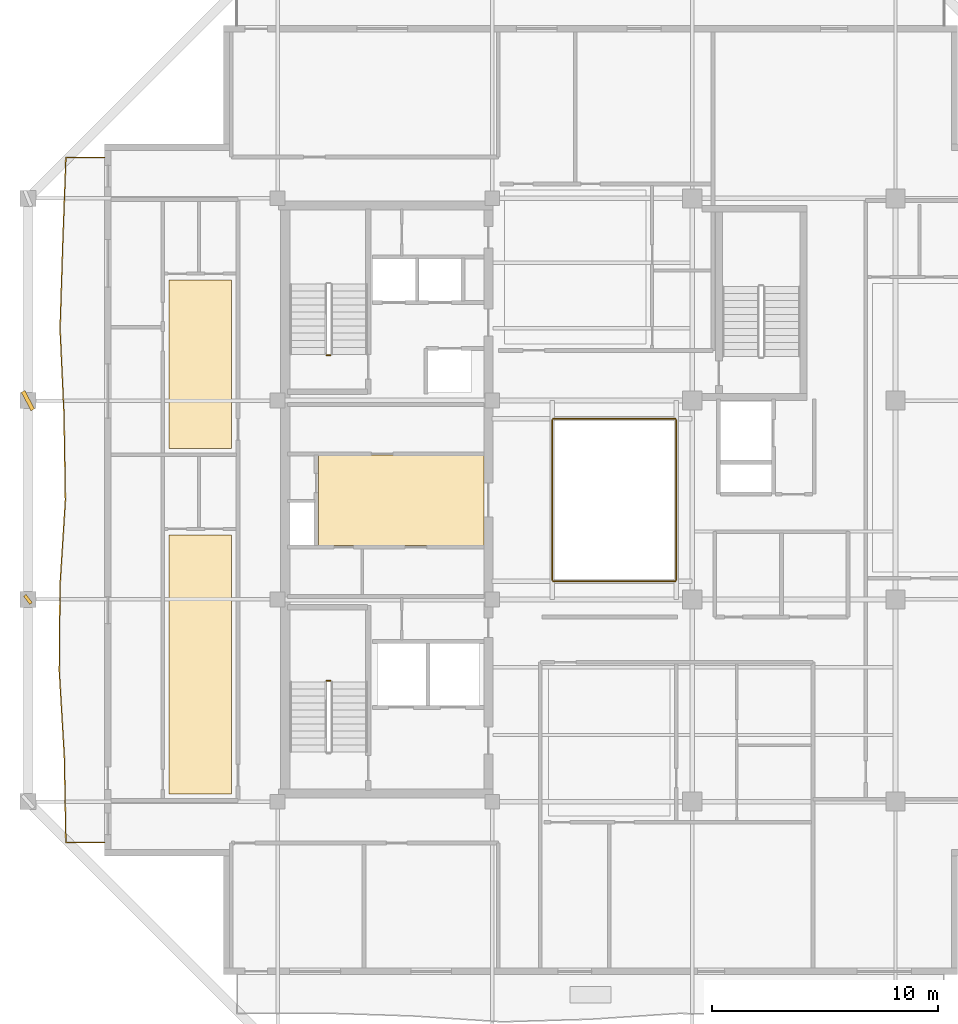
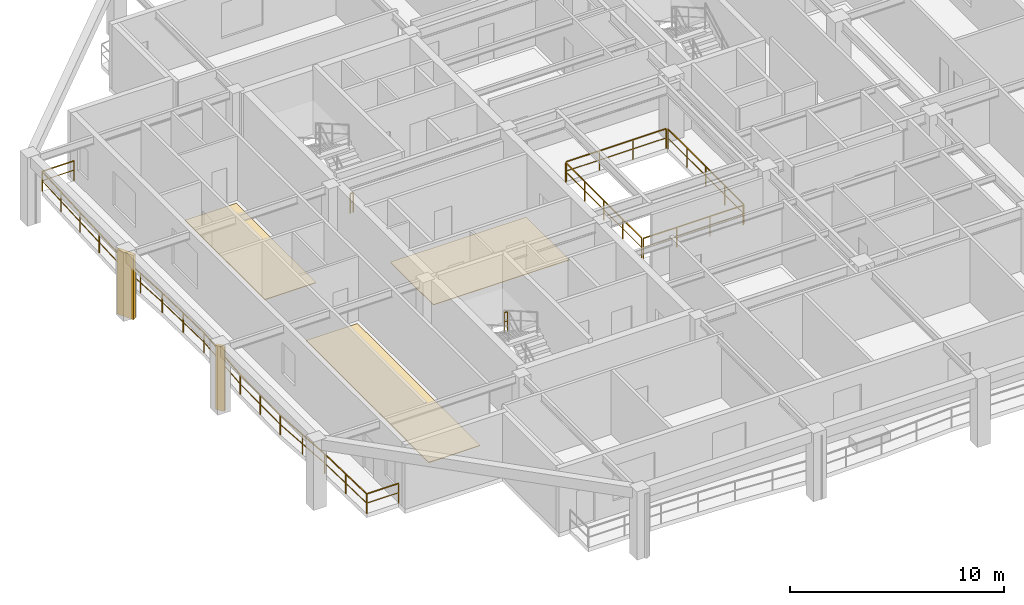
# One storey, part 8 of 11: 7 railings, 3 coverings, 2 shading devices.
"""IFC4 building model written with IfcOpenShell, lengths in metres."""

from ifc_helpers import new_model, si_unit, direction, frame, origin, origin_2d, place, context, subcontext, project, spatial, polyline, rectangle, outline, extrude, material, layer, layer_set, type_object, element, save


model = new_model("IFC4")

# Units and contexts
model_context = context("Model", 3, precision=1e-05, world=origin(), true_north=direction((0.0, 1.0)))
body_context = subcontext(model_context, "Body", "Model", "MODEL_VIEW")
ifc_project = project(units=[si_unit("LENGTHUNIT", "METRE"), si_unit("AREAUNIT", "SQUARE_METRE"), si_unit("VOLUMEUNIT", "CUBIC_METRE"), si_unit("PLANEANGLEUNIT", "RADIAN"), si_unit("MASSUNIT", "GRAM", prefix="KILO")], contexts=[model_context])

# Site, building, storey
site_placement = place(None, origin())
site = spatial("IfcSite", under=ifc_project, at=site_placement, CompositionType="ELEMENT")
building_placement = place(site_placement, origin())
building = spatial("IfcBuilding", under=site, at=building_placement, Name="Kundavana Baori Tower", CompositionType="ELEMENT")
storey_placement = place(building_placement, frame((0.0, 0.0, 253.10009765625)))
storey = spatial("IfcBuildingStorey", under=building, at=storey_placement, Name="L62", CompositionType="ELEMENT", Elevation=253.10009765625)

# Coverings
ifc_material_1 = material(Name="Honed Kota Stone and Terrazzo Flooring", Category="masonry")
ifc_layer = layer(ifc_material_1, 0.030029296875, Name="COV-INT-FLR")
ifc_layer_set = layer_set([ifc_layer], Name="Honed Kota Stone and Terrazzo Flooring")
covering_type = type_object("IfcCoveringType", Name="COV-INT-FLR", PredefinedType="FLOORING", material=ifc_layer_set)
covering_1_placement = place(storey_placement, origin())
element("IfcCovering", 1, at=covering_1_placement, inside=storey, type_object=covering_type, Name="L62 Room Finished Stone Flooring 1", PredefinedType="FLOORING", context=body_context, shape_type="SweptSolid", body=[
    extrude(outline(polyline([(10.64990234375, 15.580078125), (13.419921875, 15.580078125), (13.419921875, 27.0400390625), (10.64990234375, 27.0400390625), (10.64990234375, 15.580078125)])), origin(), (0.0, 0.0, 1.0), 0.02978515625),
])
covering_2_placement = place(storey_placement, origin())
element("IfcCovering", 2, at=covering_2_placement, inside=storey, type_object=covering_type, Name="L62 Room Finished Stone Flooring 2", PredefinedType="FLOORING", context=body_context, shape_type="SweptSolid", body=[
    extrude(outline(polyline([(10.64990234375, 30.8798828125), (13.419921875, 30.8798828125), (13.419921875, 38.340087890625), (10.64990234375, 38.340087890625), (10.64990234375, 30.8798828125)])), origin(), (0.0, 0.0, 1.0), 0.02978515625),
])
covering_3_placement = place(storey_placement, origin())
element("IfcCovering", 3, at=covering_3_placement, inside=storey, type_object=covering_type, Name="L62 Core Lift Lobby Kota Stone Flooring", PredefinedType="FLOORING", context=body_context, shape_type="SweptSolid", body=[
    extrude(outline(polyline([(17.25, 26.580078125), (24.580078125, 26.580078125), (24.580078125, 30.60009765625), (17.25, 30.60009765625), (17.25, 26.580078125)])), origin(), (0.0, 0.0, 1.0), 0.02978515625),
])

# Railings
ifc_material_2 = material(Name="Architectural Patinated Bronze Metalwork")
railing_type_1 = type_object("IfcRailingType", Name="RL-BAL-1150", PredefinedType="BALUSTRADE", material=ifc_material_2)
railing_1_placement = place(storey_placement, frame((7.800048828125, 13.449951171875, 0.0)))
element("IfcRailing", 4, at=railing_1_placement, inside=storey, type_object=railing_type_1, Name="L62 Loggia Balcony Balustrade W", PredefinedType="BALUSTRADE", context=body_context, shape_type="SweptSolid", body=[
    extrude(rectangle(XDim=0.048095703125, YDim=0.048095703125, at=origin_2d()), frame((0.0, 0.0, 1.1259765625), z_axis=(-1.0, 0.0, 0.0), x_axis=(0.0, -1.0, 0.0)), (0.0, 0.0, 1.0), 1.719970703125),
    extrude(rectangle(XDim=0.03125, YDim=0.03125, at=origin_2d()), frame((0.0, 0.0, 0.597900390625), z_axis=(-1.0, 0.0, 0.0), x_axis=(0.0, -1.0, 0.0)), (0.0, 0.0, 1.0), 1.719970703125),
    extrude(rectangle(XDim=0.048095703125, YDim=0.048095703125, at=origin_2d()), frame((-1.719970703125, 0.0, 1.1259765625), z_axis=(-0.018751536142, 0.999824174489, 0.0), x_axis=(-0.999824174489, -0.018751536142, 0.0)), (0.0, 0.0, 1.0), 3.788818359375),
    extrude(rectangle(XDim=0.03125, YDim=0.03125, at=origin_2d()), frame((-1.719970703125, 0.0, 0.597900390625), z_axis=(-0.018751536142, 0.999824174489, 0.0), x_axis=(-0.999824174489, -0.018751536142, 0.0)), (0.0, 0.0, 1.0), 3.788818359375),
    extrude(rectangle(XDim=0.048095703125, YDim=0.048095703125, at=origin_2d()), frame((-1.791015625, 3.7880859375, 1.1259765625), z_axis=(-0.058503196703, 0.998287221182, 0.0), x_axis=(-0.998287221182, -0.058503196703, 0.0)), (0.0, 0.0, 1.0), 3.79345703125),
    extrude(rectangle(XDim=0.03125, YDim=0.03125, at=origin_2d()), frame((-1.791015625, 3.7880859375, 0.597900390625), z_axis=(-0.058503196703, 0.998287221182, 0.0), x_axis=(-0.998287221182, -0.058503196703, 0.0)), (0.0, 0.0, 1.0), 3.79345703125),
    extrude(rectangle(XDim=0.048095703125, YDim=0.048095703125, at=origin_2d()), frame((-2.012939453125, 7.574951171875, 1.1259765625), z_axis=(0.00818693552, 0.999966486482, 0.0), x_axis=(-0.999966486482, 0.00818693552, 0.0)), (0.0, 0.0, 1.0), 3.787353515625),
    extrude(rectangle(XDim=0.03125, YDim=0.03125, at=origin_2d()), frame((-2.012939453125, 7.574951171875, 0.597900390625), z_axis=(0.00818693552, 0.999966486482, 0.0), x_axis=(-0.999966486482, 0.00818693552, 0.0)), (0.0, 0.0, 1.0), 3.787353515625),
    extrude(rectangle(XDim=0.048095703125, YDim=0.048095703125, at=origin_2d()), frame((-1.98193359375, 11.362060546875, 1.1259765625), z_axis=(0.062650592836, 0.998035522022, 0.0), x_axis=(-0.998035522022, 0.062650592836, 0.0)), (0.0, 0.0, 1.0), 3.795654296875),
    extrude(rectangle(XDim=0.03125, YDim=0.03125, at=origin_2d()), frame((-1.98193359375, 11.362060546875, 0.597900390625), z_axis=(0.062650592836, 0.998035522022, 0.0), x_axis=(-0.998035522022, 0.062650592836, 0.0)), (0.0, 0.0, 1.0), 3.795654296875),
    extrude(rectangle(XDim=0.048095703125, YDim=0.048095703125, at=origin_2d()), frame((-1.744140625, 15.150146484375, 1.1259765625), z_axis=(-0.016046918385, 0.999871239916, 0.0), x_axis=(-0.999871239916, -0.016046918385, 0.0)), (0.0, 0.0, 1.0), 3.788330078125),
    extrude(rectangle(XDim=0.03125, YDim=0.03125, at=origin_2d()), frame((-1.744140625, 15.150146484375, 0.597900390625), z_axis=(-0.016046918385, 0.999871239916, 0.0), x_axis=(-0.999871239916, -0.016046918385, 0.0)), (0.0, 0.0, 1.0), 3.788330078125),
    extrude(rectangle(XDim=0.048095703125, YDim=0.048095703125, at=origin_2d()), frame((-1.804931640625, 18.93798828125, 1.1259765625), z_axis=(-0.046172981575, 0.998933459132, 0.0), x_axis=(-0.998933459132, -0.046172981575, 0.0)), (0.0, 0.0, 1.0), 3.791259765625),
    extrude(rectangle(XDim=0.03125, YDim=0.03125, at=origin_2d()), frame((-1.804931640625, 18.93798828125, 0.597900390625), z_axis=(-0.046172981575, 0.998933459132, 0.0), x_axis=(-0.998933459132, -0.046172981575, 0.0)), (0.0, 0.0, 1.0), 3.791259765625),
    extrude(rectangle(XDim=0.048095703125, YDim=0.048095703125, at=origin_2d()), frame((-1.97998046875, 22.72509765625, 1.1259765625), z_axis=(0.031639106753, 0.999499358141, 0.0), x_axis=(-0.999499358141, 0.031639106753, 0.0)), (0.0, 0.0, 1.0), 3.788818359375),
    extrude(rectangle(XDim=0.03125, YDim=0.03125, at=origin_2d()), frame((-1.97998046875, 22.72509765625, 0.597900390625), z_axis=(0.031639106753, 0.999499358141, 0.0), x_axis=(-0.999499358141, 0.031639106753, 0.0)), (0.0, 0.0, 1.0), 3.788818359375),
    extrude(rectangle(XDim=0.048095703125, YDim=0.048095703125, at=origin_2d()), frame((-1.860107421875, 26.511962890625, 1.1259765625), z_axis=(0.036968782264, 0.999316420929, 0.0), x_axis=(-0.999316420929, 0.036968782264, 0.0)), (0.0, 0.0, 1.0), 3.790771484375),
    extrude(rectangle(XDim=0.03125, YDim=0.03125, at=origin_2d()), frame((-1.860107421875, 26.511962890625, 0.597900390625), z_axis=(0.036968782264, 0.999316420929, 0.0), x_axis=(-0.999316420929, 0.036968782264, 0.0)), (0.0, 0.0, 1.0), 3.790771484375),
    extrude(rectangle(XDim=0.048095703125, YDim=0.048095703125, at=origin_2d()), frame((-1.719970703125, 30.300048828125, 1.1259765625), z_axis=(1.0, 0.0, 0.0), x_axis=(0.0, 1.0, 0.0)), (0.0, 0.0, 1.0), 1.719970703125),
    extrude(rectangle(XDim=0.03125, YDim=0.03125, at=origin_2d()), frame((-1.719970703125, 30.300048828125, 0.597900390625), z_axis=(1.0, 0.0, 0.0), x_axis=(0.0, 1.0, 0.0)), (0.0, 0.0, 1.0), 1.719970703125),
    extrude(rectangle(XDim=0.0419921875, YDim=0.0419921875, at=origin_2d()), origin(), (0.0, 0.0, 1.0), 1.101806640625),
    extrude(rectangle(XDim=0.0419921875, YDim=0.0419921875, at=origin_2d()), frame((-1.719970703125, 0.0, 0.0)), (0.0, 0.0, 1.0), 1.101806640625),
    extrude(rectangle(XDim=0.0419921875, YDim=0.0419921875, at=origin_2d()), frame((-1.75537109375, 1.89404296875, 0.0)), (0.0, 0.0, 1.0), 1.101806640625),
    extrude(rectangle(XDim=0.0419921875, YDim=0.0419921875, at=origin_2d()), frame((-1.791015625, 3.7880859375, 0.0)), (0.0, 0.0, 1.0), 1.101806640625),
    extrude(rectangle(XDim=0.0419921875, YDim=0.0419921875, at=origin_2d()), frame((-1.90185546875, 5.681640625, 0.0)), (0.0, 0.0, 1.0), 1.101806640625),
    extrude(rectangle(XDim=0.0419921875, YDim=0.0419921875, at=origin_2d()), frame((-2.012939453125, 7.574951171875, 0.0)), (0.0, 0.0, 1.0), 1.101806640625),
    extrude(rectangle(XDim=0.0419921875, YDim=0.0419921875, at=origin_2d()), frame((-1.99755859375, 9.468505859375, 0.0)), (0.0, 0.0, 1.0), 1.101806640625),
    extrude(rectangle(XDim=0.0419921875, YDim=0.0419921875, at=origin_2d()), frame((-1.98193359375, 11.362060546875, 0.0)), (0.0, 0.0, 1.0), 1.101806640625),
    extrude(rectangle(XDim=0.0419921875, YDim=0.0419921875, at=origin_2d()), frame((-1.863037109375, 13.256103515625, 0.0)), (0.0, 0.0, 1.0), 1.101806640625),
    extrude(rectangle(XDim=0.0419921875, YDim=0.0419921875, at=origin_2d()), frame((-1.744140625, 15.150146484375, 0.0)), (0.0, 0.0, 1.0), 1.101806640625),
    extrude(rectangle(XDim=0.0419921875, YDim=0.0419921875, at=origin_2d()), frame((-1.7744140625, 17.0439453125, 0.0)), (0.0, 0.0, 1.0), 1.101806640625),
    extrude(rectangle(XDim=0.0419921875, YDim=0.0419921875, at=origin_2d()), frame((-1.804931640625, 18.93798828125, 0.0)), (0.0, 0.0, 1.0), 1.101806640625),
    extrude(rectangle(XDim=0.0419921875, YDim=0.0419921875, at=origin_2d()), frame((-1.892578125, 20.83154296875, 0.0)), (0.0, 0.0, 1.0), 1.101806640625),
    extrude(rectangle(XDim=0.0419921875, YDim=0.0419921875, at=origin_2d()), frame((-1.97998046875, 22.72509765625, 0.0)), (0.0, 0.0, 1.0), 1.101806640625),
    extrude(rectangle(XDim=0.0419921875, YDim=0.0419921875, at=origin_2d()), frame((-1.919921875, 24.61865234375, 0.0)), (0.0, 0.0, 1.0), 1.101806640625),
    extrude(rectangle(XDim=0.0419921875, YDim=0.0419921875, at=origin_2d()), frame((-1.860107421875, 26.511962890625, 0.0)), (0.0, 0.0, 1.0), 1.101806640625),
    extrude(rectangle(XDim=0.0419921875, YDim=0.0419921875, at=origin_2d()), frame((-1.7900390625, 28.406005859375, 0.0)), (0.0, 0.0, 1.0), 1.101806640625),
    extrude(rectangle(XDim=0.0419921875, YDim=0.0419921875, at=origin_2d()), frame((-1.719970703125, 30.300048828125, 0.0)), (0.0, 0.0, 1.0), 1.101806640625),
    extrude(rectangle(XDim=0.0419921875, YDim=0.0419921875, at=origin_2d()), frame((0.0, 30.300048828125, 0.0)), (0.0, 0.0, 1.0), 1.101806640625),
])
ifc_material_3 = material(Name="Architectural Patinated Bronze Metalwork")
railing_type_2 = type_object("IfcRailingType", Name="RL-GRD-1150", PredefinedType="GUARDRAIL", material=ifc_material_3)
for number, where, name in (
    (5, (17.7900390625, 20.60009765625, 1.949951171875), "L62 ST1 stair guard 2"),
    (6, (17.7900390625, 35.0, 0.0), "L62 ST2 stair guard 4"),
):
    element("IfcRailing", number, at=place(storey_placement, frame(where)), inside=storey, type_object=railing_type_2, Name=name, PredefinedType="GUARDRAIL", context=body_context, shape_type="SweptSolid", body=[
        extrude(rectangle(XDim=0.048095703125, YDim=0.048095703125, at=origin_2d()), frame((0.0, 0.0, 1.1259765625), z_axis=(-1.0, 0.0, 0.0), x_axis=(0.0, -1.0, 0.0)), (0.0, 0.0, 1.0), 0.16015625),
        extrude(rectangle(XDim=0.03125, YDim=0.03125, at=origin_2d()), frame((0.0, 0.0, 0.597900390625), z_axis=(-1.0, 0.0, 0.0), x_axis=(0.0, -1.0, 0.0)), (0.0, 0.0, 1.0), 0.16015625),
        extrude(rectangle(XDim=0.0419921875, YDim=0.0419921875, at=origin_2d()), origin(), (0.0, 0.0, 1.0), 1.101806640625),
        extrude(rectangle(XDim=0.0419921875, YDim=0.0419921875, at=origin_2d()), frame((-0.16015625, 0.0, 0.0)), (0.0, 0.0, 1.0), 1.101806640625),
    ])
railing_2_placement = place(storey_placement, frame((27.659912109375, 25.0, 0.0)))
element("IfcRailing", 7, at=railing_2_placement, inside=storey, type_object=railing_type_2, Name="L62 Atrium Void Perimeter Guardrail S", PredefinedType="GUARDRAIL", context=body_context, shape_type="SweptSolid", body=[
    extrude(rectangle(XDim=0.048095703125, YDim=0.048095703125, at=origin_2d()), frame((0.0, 0.0, 1.1259765625), z_axis=(1.0, 0.0, 0.0), x_axis=(0.0, 1.0, 0.0)), (0.0, 0.0, 1.0), 5.380126953125),
    extrude(rectangle(XDim=0.03125, YDim=0.03125, at=origin_2d()), frame((0.0, 0.0, 0.597900390625), z_axis=(1.0, 0.0, 0.0), x_axis=(0.0, 1.0, 0.0)), (0.0, 0.0, 1.0), 5.380126953125),
    extrude(rectangle(XDim=0.0419921875, YDim=0.0419921875, at=origin_2d()), origin(), (0.0, 0.0, 1.0), 1.101806640625),
    extrude(rectangle(XDim=0.0419921875, YDim=0.0419921875, at=origin_2d()), frame((1.79345703125, 0.0, 0.0)), (0.0, 0.0, 1.0), 1.101806640625),
    extrude(rectangle(XDim=0.0419921875, YDim=0.0419921875, at=origin_2d()), frame((3.586669921875, 0.0, 0.0)), (0.0, 0.0, 1.0), 1.101806640625),
    extrude(rectangle(XDim=0.0419921875, YDim=0.0419921875, at=origin_2d()), frame((5.380126953125, 0.0, 0.0)), (0.0, 0.0, 1.0), 1.101806640625),
])
railing_3_placement = place(storey_placement, frame((33.10009765625, 25.06005859375, 0.0)))
element("IfcRailing", 8, at=railing_3_placement, inside=storey, type_object=railing_type_2, Name="L62 Atrium Void Perimeter Guardrail E", PredefinedType="GUARDRAIL", context=body_context, shape_type="SweptSolid", body=[
    extrude(rectangle(XDim=0.048095703125, YDim=0.048095703125, at=origin_2d()), frame((0.0, 0.0, 1.1259765625), z_axis=(0.0, 1.0, 0.0), x_axis=(-1.0, 0.0, 0.0)), (0.0, 0.0, 1.0), 7.079833984375),
    extrude(rectangle(XDim=0.03125, YDim=0.03125, at=origin_2d()), frame((0.0, 0.0, 0.597900390625), z_axis=(0.0, 1.0, 0.0), x_axis=(-1.0, 0.0, 0.0)), (0.0, 0.0, 1.0), 7.079833984375),
    extrude(rectangle(XDim=0.0419921875, YDim=0.0419921875, at=origin_2d()), origin(), (0.0, 0.0, 1.0), 1.101806640625),
    extrude(rectangle(XDim=0.0419921875, YDim=0.0419921875, at=origin_2d()), frame((0.0, 1.77001953125, 0.0)), (0.0, 0.0, 1.0), 1.101806640625),
    extrude(rectangle(XDim=0.0419921875, YDim=0.0419921875, at=origin_2d()), frame((0.0, 3.5400390625, 0.0)), (0.0, 0.0, 1.0), 1.101806640625),
    extrude(rectangle(XDim=0.0419921875, YDim=0.0419921875, at=origin_2d()), frame((0.0, 5.309814453125, 0.0)), (0.0, 0.0, 1.0), 1.101806640625),
    extrude(rectangle(XDim=0.0419921875, YDim=0.0419921875, at=origin_2d()), frame((0.0, 7.079833984375, 0.0)), (0.0, 0.0, 1.0), 1.101806640625),
])
railing_4_placement = place(storey_placement, frame((33.0400390625, 32.199951171875, 0.0)))
element("IfcRailing", 9, at=railing_4_placement, inside=storey, type_object=railing_type_2, Name="L62 Atrium Void Perimeter Guardrail N", PredefinedType="GUARDRAIL", context=body_context, shape_type="SweptSolid", body=[
    extrude(rectangle(XDim=0.048095703125, YDim=0.048095703125, at=origin_2d()), frame((0.0, 0.0, 1.1259765625), z_axis=(-1.0, 0.0, 0.0), x_axis=(0.0, -1.0, 0.0)), (0.0, 0.0, 1.0), 5.380126953125),
    extrude(rectangle(XDim=0.03125, YDim=0.03125, at=origin_2d()), frame((0.0, 0.0, 0.597900390625), z_axis=(-1.0, 0.0, 0.0), x_axis=(0.0, -1.0, 0.0)), (0.0, 0.0, 1.0), 5.380126953125),
    extrude(rectangle(XDim=0.0419921875, YDim=0.0419921875, at=origin_2d()), origin(), (0.0, 0.0, 1.0), 1.101806640625),
    extrude(rectangle(XDim=0.0419921875, YDim=0.0419921875, at=origin_2d()), frame((-1.79345703125, 0.0, 0.0)), (0.0, 0.0, 1.0), 1.101806640625),
    extrude(rectangle(XDim=0.0419921875, YDim=0.0419921875, at=origin_2d()), frame((-3.586669921875, 0.0, 0.0)), (0.0, 0.0, 1.0), 1.101806640625),
    extrude(rectangle(XDim=0.0419921875, YDim=0.0419921875, at=origin_2d()), frame((-5.380126953125, 0.0, 0.0)), (0.0, 0.0, 1.0), 1.101806640625),
])
railing_5_placement = place(storey_placement, frame((27.60009765625, 32.139892578125, 0.0)))
element("IfcRailing", 10, at=railing_5_placement, inside=storey, type_object=railing_type_2, Name="L62 Atrium Void Perimeter Guardrail W", PredefinedType="GUARDRAIL", context=body_context, shape_type="SweptSolid", body=[
    extrude(rectangle(XDim=0.048095703125, YDim=0.048095703125, at=origin_2d()), frame((0.0, 0.0, 1.1259765625), z_axis=(0.0, -1.0, 0.0), x_axis=(1.0, 0.0, 0.0)), (0.0, 0.0, 1.0), 7.079833984375),
    extrude(rectangle(XDim=0.03125, YDim=0.03125, at=origin_2d()), frame((0.0, 0.0, 0.597900390625), z_axis=(0.0, -1.0, 0.0), x_axis=(1.0, 0.0, 0.0)), (0.0, 0.0, 1.0), 7.079833984375),
    extrude(rectangle(XDim=0.0419921875, YDim=0.0419921875, at=origin_2d()), origin(), (0.0, 0.0, 1.0), 1.101806640625),
    extrude(rectangle(XDim=0.0419921875, YDim=0.0419921875, at=origin_2d()), frame((0.0, -1.77001953125, 0.0)), (0.0, 0.0, 1.0), 1.101806640625),
    extrude(rectangle(XDim=0.0419921875, YDim=0.0419921875, at=origin_2d()), frame((0.0, -3.5400390625, 0.0)), (0.0, 0.0, 1.0), 1.101806640625),
    extrude(rectangle(XDim=0.0419921875, YDim=0.0419921875, at=origin_2d()), frame((0.0, -5.309814453125, 0.0)), (0.0, 0.0, 1.0), 1.101806640625),
    extrude(rectangle(XDim=0.0419921875, YDim=0.0419921875, at=origin_2d()), frame((0.0, -7.079833984375, 0.0)), (0.0, 0.0, 1.0), 1.101806640625),
])

# Shading devices
ifc_material_4 = material(Name="Red-Buff Dholpur Sandstone Cladding on Concrete C40/50", Category="masonry")
shading_device_type_1 = type_object("IfcShadingDeviceType", Name="SHD-FIN-920", PredefinedType="JALOUSIE", material=ifc_material_4)
shading_device_1_placement = place(storey_placement, frame((4.39990234375, 33.0, 0.0), z_axis=(0.0, 0.0, 1.0), x_axis=(0.884010516411, 0.467467011537, 0.0)))
element("IfcShadingDevice", 11, at=shading_device_1_placement, inside=storey, type_object=shading_device_type_1, Name="L62 Sweeping Dholpur Sandstone Facade Fin 7", PredefinedType="JALOUSIE", context=body_context, shape_type="SweptSolid", body=[
    extrude(rectangle(XDim=0.179931640625, YDim=0.919921875, at=origin_2d()), origin(), (0.0, 0.0, 1.0), 3.659912109375),
])
ifc_material_5 = material(Name="Architectural Patinated Bronze Metalwork")
shading_device_type_2 = type_object("IfcShadingDeviceType", Name="SHD-LOUV-450", PredefinedType="SHUTTER", material=ifc_material_5)
shading_device_2_placement = place(storey_placement, frame((4.39990234375, 24.199951171875, 0.0), z_axis=(0.0, 0.0, 1.0), x_axis=(0.794096490407, 0.607791710969, 0.0)))
element("IfcShadingDevice", 12, at=shading_device_2_placement, inside=storey, type_object=shading_device_type_2, Name="L62 Sweeping Dholpur Sandstone Facade Fin 6", PredefinedType="SHUTTER", context=body_context, shape_type="SweptSolid", body=[
    extrude(rectangle(XDim=0.139892578125, YDim=0.449951171875, at=origin_2d()), origin(), (0.0, 0.0, 1.0), 3.659912109375),
])

save(model, "model.ifc")
